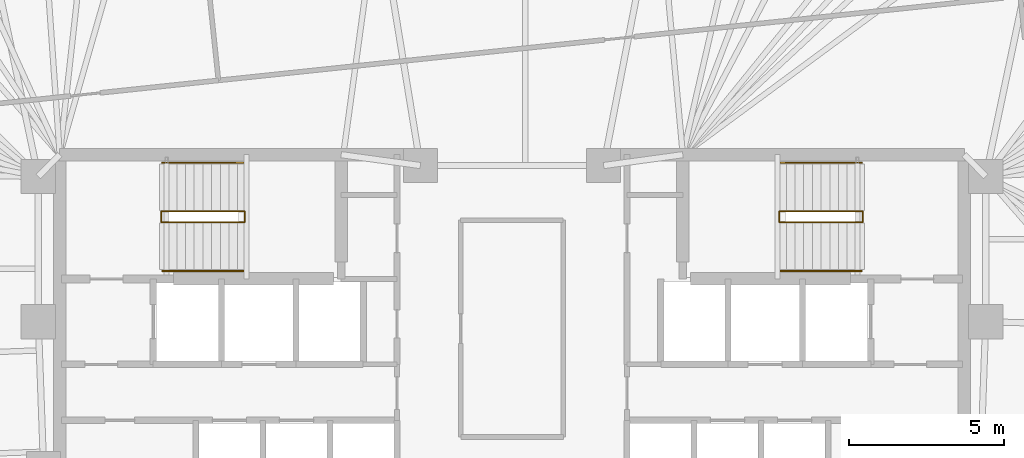
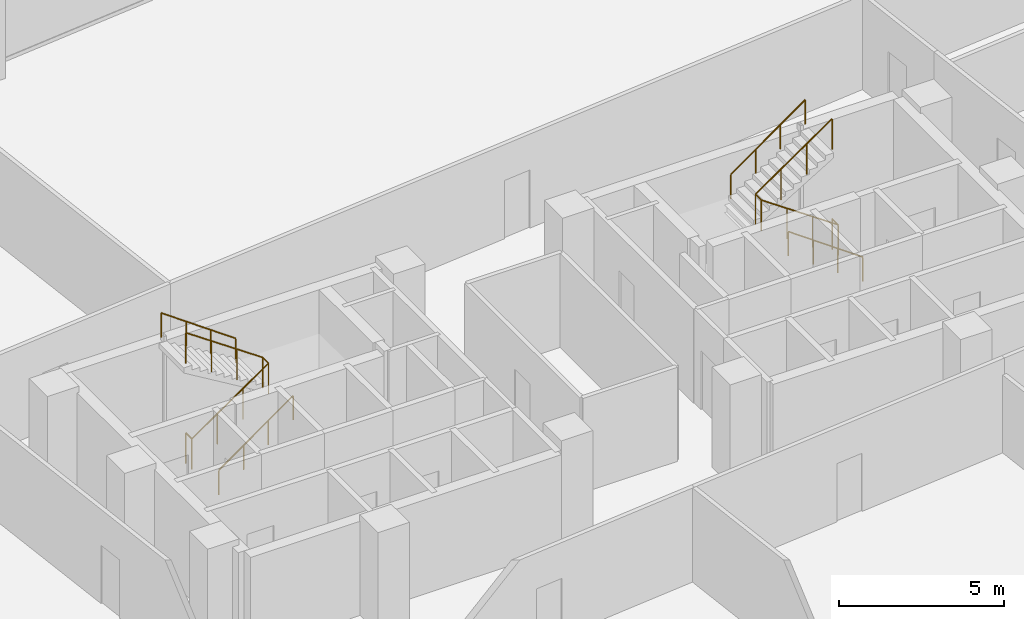
# One storey, part 18 of 18: 6 railings.
"""IFC4 building model written with IfcOpenShell, lengths in metres."""

from ifc_helpers import new_model, si_unit, direction, frame, origin, origin_2d, place, context, subcontext, project, spatial, circle, extrude, material, type_object, element, save


model = new_model("IFC4")

# Units and contexts
model_context = context("Model", 3, precision=1e-05, world=origin(), true_north=direction((0.0, 1.0)))
body_context = subcontext(model_context, "Body", "Model", "MODEL_VIEW")
ifc_project = project(units=[si_unit("LENGTHUNIT", "METRE"), si_unit("AREAUNIT", "SQUARE_METRE"), si_unit("VOLUMEUNIT", "CUBIC_METRE"), si_unit("PLANEANGLEUNIT", "RADIAN"), si_unit("MASSUNIT", "GRAM", prefix="KILO")], contexts=[model_context])

# Site, building, storey
site_placement = place(None, origin())
site = spatial("IfcSite", under=ifc_project, at=site_placement, CompositionType="ELEMENT")
building_placement = place(site_placement, origin())
building = spatial("IfcBuilding", under=site, at=building_placement, Name="Menara Jurai Vektor", CompositionType="ELEMENT")
storey_placement = place(building_placement, frame((0.0, 0.0, 124.39990234375)))
storey = spatial("IfcBuildingStorey", under=building, at=storey_placement, Name="L31", CompositionType="ELEMENT", Elevation=124.39990234375)

# Railings
ifc_material_1 = material(Name="Painted Galvanised Steel Balustrade", Category="steel")
railing_type_1 = type_object("IfcRailingType", Name="RAIL-STAIR-GUARD", PredefinedType="GUARDRAIL", material=ifc_material_1)
railing_1_placement = place(storey_placement, frame((-11.2900390625, 3.780029296875, 0.0)))
element("IfcRailing", 1, at=railing_1_placement, inside=storey, type_object=railing_type_1, Name="ST1 Stair Guardrail 1 L31", PredefinedType="GUARDRAIL", context=body_context, shape_type="SweptSolid", body=[
    extrude(circle(Radius=0.02392578125, at=origin_2d()), frame((0.0, 0.0, 1.1259765625), z_axis=(0.0, -1.0, 0.0), x_axis=(1.0, 0.0, 0.0)), (0.0, 0.0, 1.0), 0.360107421875),
    extrude(circle(Radius=0.02392578125, at=origin_2d()), frame((0.0, -0.360107421875, 1.1259765625), z_axis=(0.822944469782, 0.0, 0.568121817619), x_axis=(0.0, 1.0, 0.0)), (0.0, 0.0, 1.0), 3.256591796875),
    extrude(circle(Radius=0.02392578125, at=origin_2d()), frame((2.679931640625, -0.360107421875, 2.97607421875), z_axis=(0.0, 1.0, 0.0), x_axis=(-1.0, 0.0, 0.0)), (0.0, 0.0, 1.0), 0.360107421875),
    extrude(circle(Radius=0.02392578125, at=origin_2d()), frame((2.679931640625, 0.0, 2.97607421875), z_axis=(-0.822944469782, 0.0, 0.568121817619), x_axis=(0.0, -1.0, 0.0)), (0.0, 0.0, 1.0), 3.256591796875),
    extrude(circle(Radius=0.02099609375, at=origin_2d()), origin(), (0.0, 0.0, 1.0), 1.101806640625),
    extrude(circle(Radius=0.02099609375, at=origin_2d()), frame((0.0, -0.360107421875, 0.0)), (0.0, 0.0, 1.0), 1.101806640625),
    extrude(circle(Radius=0.02099609375, at=origin_2d()), frame((0.893310546875, -0.360107421875, 0.61669921875)), (0.0, 0.0, 1.0), 1.101806640625),
    extrude(circle(Radius=0.02099609375, at=origin_2d()), frame((1.78662109375, -0.360107421875, 1.2333984375)), (0.0, 0.0, 1.0), 1.101806640625),
    extrude(circle(Radius=0.02099609375, at=origin_2d()), frame((2.679931640625, -0.360107421875, 1.85009765625)), (0.0, 0.0, 1.0), 1.101806640625),
    extrude(circle(Radius=0.02099609375, at=origin_2d()), frame((2.679931640625, 0.0, 1.85009765625)), (0.0, 0.0, 1.0), 1.101806640625),
    extrude(circle(Radius=0.02099609375, at=origin_2d()), frame((1.78662109375, 0.0, 2.466796875)), (0.0, 0.0, 1.0), 1.101806640625),
    extrude(circle(Radius=0.02099609375, at=origin_2d()), frame((0.893310546875, 0.0, 3.08349609375)), (0.0, 0.0, 1.0), 1.101806640625),
    extrude(circle(Radius=0.02099609375, at=origin_2d()), frame((0.0, 0.0, 3.7001953125)), (0.0, 0.0, 1.0), 1.101806640625),
])
railing_2_placement = place(storey_placement, frame((11.2900390625, 3.780029296875, 0.0)))
element("IfcRailing", 2, at=railing_2_placement, inside=storey, type_object=railing_type_1, Name="ST2 Stair Guardrail 1 L31", PredefinedType="GUARDRAIL", context=body_context, shape_type="SweptSolid", body=[
    extrude(circle(Radius=0.02392578125, at=origin_2d()), frame((0.0, 0.0, 1.1259765625), z_axis=(0.0, -1.0, 0.0), x_axis=(1.0, 0.0, 0.0)), (0.0, 0.0, 1.0), 0.360107421875),
    extrude(circle(Radius=0.02392578125, at=origin_2d()), frame((0.0, -0.360107421875, 1.1259765625), z_axis=(-0.822944469782, 0.0, 0.568121817619), x_axis=(0.0, -1.0, 0.0)), (0.0, 0.0, 1.0), 3.256591796875),
    extrude(circle(Radius=0.02392578125, at=origin_2d()), frame((-2.679931640625, -0.360107421875, 2.97607421875), z_axis=(0.0, 1.0, 0.0), x_axis=(-1.0, 0.0, 0.0)), (0.0, 0.0, 1.0), 0.360107421875),
    extrude(circle(Radius=0.02392578125, at=origin_2d()), frame((-2.679931640625, 0.0, 2.97607421875), z_axis=(0.822944469782, 0.0, 0.568121817619), x_axis=(0.0, 1.0, 0.0)), (0.0, 0.0, 1.0), 3.256591796875),
    extrude(circle(Radius=0.02099609375, at=origin_2d()), origin(), (0.0, 0.0, 1.0), 1.101806640625),
    extrude(circle(Radius=0.02099609375, at=origin_2d()), frame((0.0, -0.360107421875, 0.0)), (0.0, 0.0, 1.0), 1.101806640625),
    extrude(circle(Radius=0.02099609375, at=origin_2d()), frame((-0.893310546875, -0.360107421875, 0.61669921875)), (0.0, 0.0, 1.0), 1.101806640625),
    extrude(circle(Radius=0.02099609375, at=origin_2d()), frame((-1.78662109375, -0.360107421875, 1.2333984375)), (0.0, 0.0, 1.0), 1.101806640625),
    extrude(circle(Radius=0.02099609375, at=origin_2d()), frame((-2.679931640625, -0.360107421875, 1.85009765625)), (0.0, 0.0, 1.0), 1.101806640625),
    extrude(circle(Radius=0.02099609375, at=origin_2d()), frame((-2.679931640625, 0.0, 1.85009765625)), (0.0, 0.0, 1.0), 1.101806640625),
    extrude(circle(Radius=0.02099609375, at=origin_2d()), frame((-1.78662109375, 0.0, 2.466796875)), (0.0, 0.0, 1.0), 1.101806640625),
    extrude(circle(Radius=0.02099609375, at=origin_2d()), frame((-0.893310546875, 0.0, 3.08349609375)), (0.0, 0.0, 1.0), 1.101806640625),
    extrude(circle(Radius=0.02099609375, at=origin_2d()), frame((0.0, 0.0, 3.7001953125)), (0.0, 0.0, 1.0), 1.101806640625),
])
ifc_material_2 = material(Name="Brushed Stainless Steel Handrail", Category="steel")
railing_type_2 = type_object("IfcRailingType", Name="RAIL-STAIR-HAND", PredefinedType="HANDRAIL", material=ifc_material_2)
railing_3_placement = place(storey_placement, frame((-11.25, 1.860107421875, 0.0)))
element("IfcRailing", 3, at=railing_3_placement, inside=storey, type_object=railing_type_2, Name="ST1 Stair Handrail 1 L31", PredefinedType="HANDRAIL", context=body_context, shape_type="SweptSolid", body=[
    extrude(circle(Radius=0.02392578125, at=origin_2d()), frame((0.0, 0.0, 0.89599609375), z_axis=(0.814786671209, 0.0, 0.579760882106), x_axis=(0.0, 1.0, 0.0)), (0.0, 0.0, 1.0), 3.191162109375),
    extrude(circle(Radius=0.02099609375, at=origin_2d()), origin(), (0.0, 0.0, 1.0), 0.871826171875),
    extrude(circle(Radius=0.02099609375, at=origin_2d()), frame((0.86669921875, 0.0, 0.61669921875)), (0.0, 0.0, 1.0), 0.871826171875),
    extrude(circle(Radius=0.02099609375, at=origin_2d()), frame((1.7333984375, 0.0, 1.2333984375)), (0.0, 0.0, 1.0), 0.871826171875),
    extrude(circle(Radius=0.02099609375, at=origin_2d()), frame((2.60009765625, 0.0, 1.85009765625)), (0.0, 0.0, 1.0), 0.871826171875),
])
for number, where, name in (
    (4, (-8.64990234375, 5.340087890625, 1.85009765625), "ST1 Stair Handrail 2 L31"),
    (5, (11.25, 1.860107421875, 0.0), "ST2 Stair Handrail 1 L31"),
):
    element("IfcRailing", number, at=place(storey_placement, frame(where)), inside=storey, type_object=railing_type_2, Name=name, PredefinedType="HANDRAIL", context=body_context, shape_type="SweptSolid", body=[
        extrude(circle(Radius=0.02392578125, at=origin_2d()), frame((0.0, 0.0, 0.89599609375), z_axis=(-0.814786671209, 0.0, 0.579760882106), x_axis=(0.0, -1.0, 0.0)), (0.0, 0.0, 1.0), 3.191162109375),
        extrude(circle(Radius=0.02099609375, at=origin_2d()), origin(), (0.0, 0.0, 1.0), 0.871826171875),
        extrude(circle(Radius=0.02099609375, at=origin_2d()), frame((-0.86669921875, 0.0, 0.61669921875)), (0.0, 0.0, 1.0), 0.871826171875),
        extrude(circle(Radius=0.02099609375, at=origin_2d()), frame((-1.7333984375, 0.0, 1.2333984375)), (0.0, 0.0, 1.0), 0.871826171875),
        extrude(circle(Radius=0.02099609375, at=origin_2d()), frame((-2.60009765625, 0.0, 1.85009765625)), (0.0, 0.0, 1.0), 0.871826171875),
    ])
railing_4_placement = place(storey_placement, frame((8.64990234375, 5.340087890625, 1.85009765625)))
element("IfcRailing", 6, at=railing_4_placement, inside=storey, type_object=railing_type_2, Name="ST2 Stair Handrail 2 L31", PredefinedType="HANDRAIL", context=body_context, shape_type="SweptSolid", body=[
    extrude(circle(Radius=0.02392578125, at=origin_2d()), frame((0.0, 0.0, 0.89599609375), z_axis=(0.814786671209, 0.0, 0.579760882106), x_axis=(0.0, 1.0, 0.0)), (0.0, 0.0, 1.0), 3.191162109375),
    extrude(circle(Radius=0.02099609375, at=origin_2d()), origin(), (0.0, 0.0, 1.0), 0.871826171875),
    extrude(circle(Radius=0.02099609375, at=origin_2d()), frame((0.86669921875, 0.0, 0.61669921875)), (0.0, 0.0, 1.0), 0.871826171875),
    extrude(circle(Radius=0.02099609375, at=origin_2d()), frame((1.7333984375, 0.0, 1.2333984375)), (0.0, 0.0, 1.0), 0.871826171875),
    extrude(circle(Radius=0.02099609375, at=origin_2d()), frame((2.60009765625, 0.0, 1.85009765625)), (0.0, 0.0, 1.0), 0.871826171875),
])

save(model, "model.ifc")
